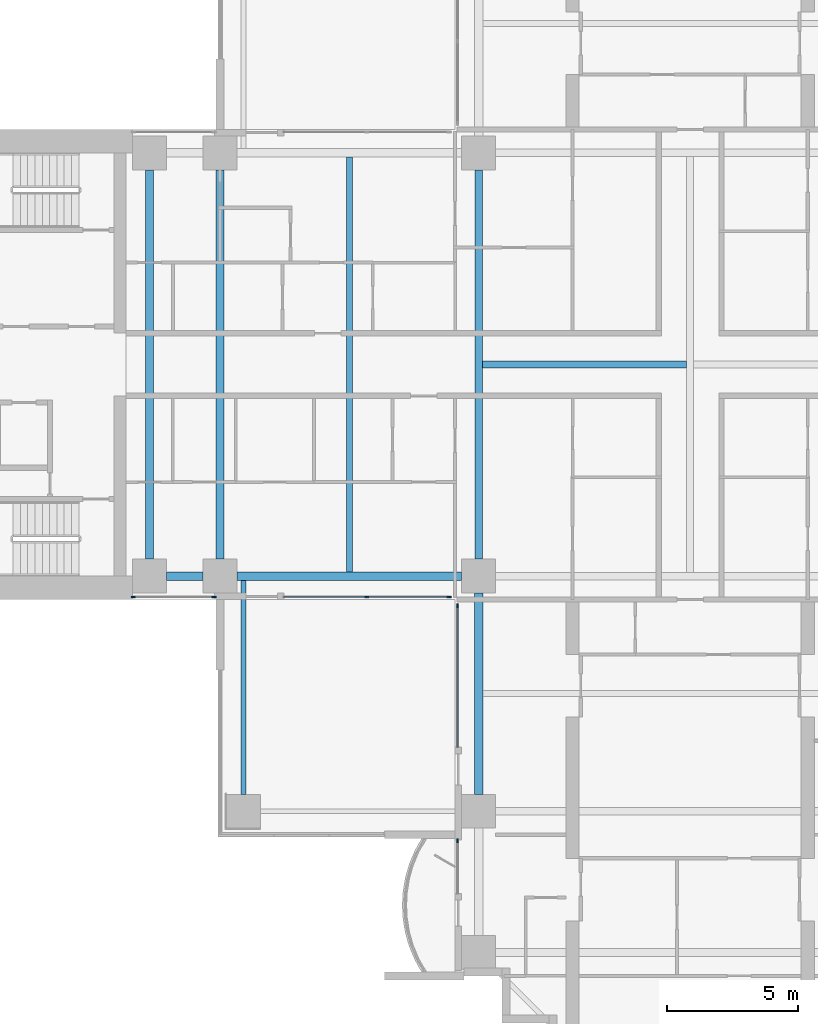
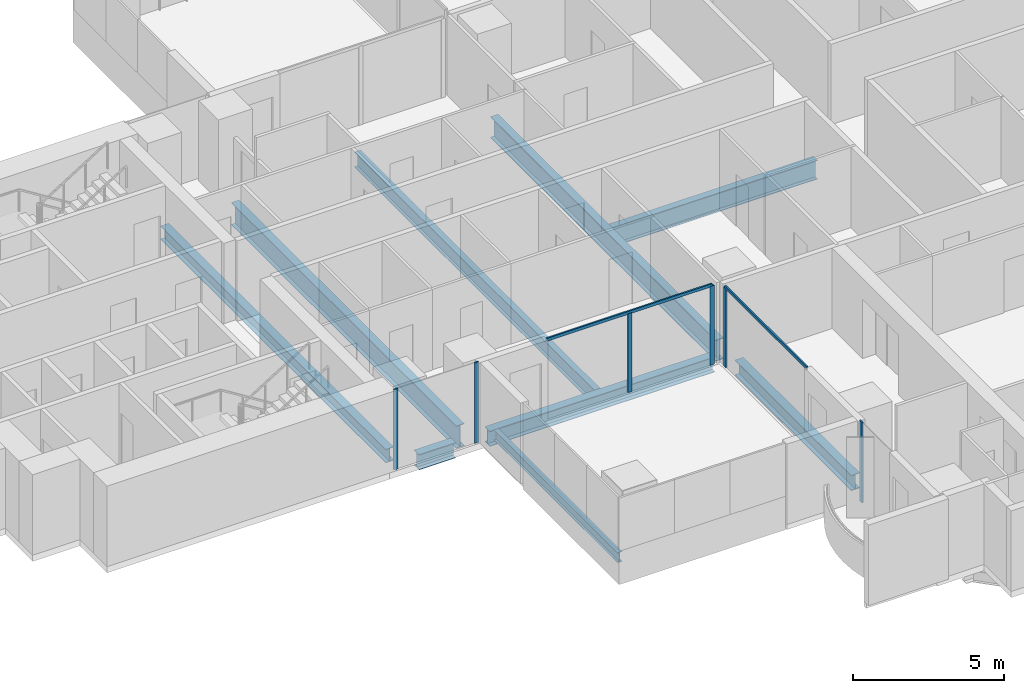
# One storey, part 2 of 21: 9 beams, 8 members, 4 elements without a shape of their own.
"""IFC4 building model written with IfcOpenShell, lengths in metres."""

from ifc_helpers import new_model, si_unit, direction, frame, origin, origin_2d, place, context, subcontext, project, spatial, rectangle, i_section, extrude, material, material_profile, profile_set, type_object, element, aggregate, save


model = new_model("IFC4")

# Units and contexts
model_context = context("Model", 3, precision=1e-05, world=origin(), true_north=direction((0.0, 1.0)))
body_context = subcontext(model_context, "Body", "Model", "MODEL_VIEW")
ifc_project = project(units=[si_unit("LENGTHUNIT", "METRE"), si_unit("AREAUNIT", "SQUARE_METRE"), si_unit("VOLUMEUNIT", "CUBIC_METRE"), si_unit("PLANEANGLEUNIT", "RADIAN"), si_unit("MASSUNIT", "GRAM", prefix="KILO")], contexts=[model_context])

# Site, building, storey
site_placement = place(None, origin())
site = spatial("IfcSite", under=ifc_project, at=site_placement, CompositionType="ELEMENT")
building_placement = place(site_placement, origin())
building = spatial("IfcBuilding", under=site, at=building_placement, Name="Perihelion Cross Residences", CompositionType="ELEMENT")
storey_placement = place(building_placement, frame((0.0, 0.0, 40.0)))
storey = spatial("IfcBuildingStorey", under=building, at=storey_placement, Name="L06", CompositionType="ELEMENT", Elevation=40.0)

# Curtain wall, members
ifc_material_1 = material(Name="Bronze anodised aluminium, tinted glazing", Category="aluminium")
curtain_wall_type = type_object("IfcCurtainWallType", Name="CW1", PredefinedType="NOTDEFINED", material=ifc_material_1)
curtain_wall_1_placement = place(storey_placement, origin())
curtain_wall_1 = element("IfcCurtainWall", 1, at=curtain_wall_1_placement, inside=storey, type_object=curtain_wall_type, Name="Curtain wall CW1 L06 west side south bay 1", PredefinedType="NOTDEFINED")
ifc_material_2 = material(Name="Bronze anodised aluminium", Category="aluminium")
ifc_material_profile_1 = material_profile(ifc_material_2, rectangle(XDim=0.06005859375, YDim=0.159912109375, at=origin_2d()), Name="CW1 mullion")
ifc_profile_set_1 = profile_set([ifc_material_profile_1], Name="Bronze anodised aluminium")
member_type_1 = type_object("IfcMemberType", Name="CW1 mullion", PredefinedType="MULLION", material=ifc_profile_set_1)
member_1_placement = place(storey_placement, frame((-21.320068359375, -8.89990234375, 0.0), z_axis=(0.0, 0.0, 1.0), x_axis=(0.0, 1.0, 0.0)))
member_1 = element("IfcMember", 2, at=member_1_placement, type_object=member_type_1, Name="CW1 mullion 1", PredefinedType="MULLION", context=body_context, shape_type="SweptSolid", body=[
    extrude(rectangle(XDim=0.06005859375, YDim=0.159912109375, at=origin_2d()), origin(), (0.0, 0.0, 1.0), 3.25),
])
member_2_placement = place(storey_placement, frame((-18.22998046875, -8.89990234375, 0.0), z_axis=(0.0, 0.0, 1.0), x_axis=(0.0, 1.0, 0.0)))
member_2 = element("IfcMember", 3, at=member_2_placement, type_object=member_type_1, Name="CW1 mullion 2", PredefinedType="MULLION", context=body_context, shape_type="SweptSolid", body=[
    extrude(rectangle(XDim=0.06005859375, YDim=0.159912109375, at=origin_2d()), origin(), (0.0, 0.0, 1.0), 3.25),
])
aggregate(curtain_wall_1, [member_1, member_2])

curtain_wall_2_placement = place(storey_placement, origin())
curtain_wall_2 = element("IfcCurtainWall", 4, at=curtain_wall_2_placement, inside=storey, type_object=curtain_wall_type, Name="Curtain wall CW1 L06 west side south bay 2", PredefinedType="NOTDEFINED")
member_3_placement = place(storey_placement, frame((-12.375, -8.89990234375, 0.0), z_axis=(0.0, 0.0, 1.0), x_axis=(0.0, 1.0, 0.0)))
member_3 = element("IfcMember", 5, at=member_3_placement, type_object=member_type_1, Name="CW1 mullion 2", PredefinedType="MULLION", context=body_context, shape_type="SweptSolid", body=[
    extrude(rectangle(XDim=0.06005859375, YDim=0.159912109375, at=origin_2d()), origin(), (0.0, 0.0, 1.0), 3.18994140625),
])
member_4_placement = place(storey_placement, frame((-9.22998046875, -8.89990234375, 0.0), z_axis=(0.0, 0.0, 1.0), x_axis=(0.0, 1.0, 0.0)))
member_4 = element("IfcMember", 6, at=member_4_placement, type_object=member_type_1, Name="CW1 mullion 3", PredefinedType="MULLION", context=body_context, shape_type="SweptSolid", body=[
    extrude(rectangle(XDim=0.06005859375, YDim=0.159912109375, at=origin_2d()), origin(), (0.0, 0.0, 1.0), 3.18994140625),
])

# Curtain wall, member
curtain_wall_3_placement = place(storey_placement, origin())
curtain_wall_3 = element("IfcCurtainWall", 7, at=curtain_wall_3_placement, inside=storey, type_object=curtain_wall_type, Name="Curtain wall CW1 L06 south side west bay 1", PredefinedType="NOTDEFINED")
member_5_placement = place(storey_placement, frame((-8.89990234375, -9.22998046875, 0.0), z_axis=(0.0, 0.0, 1.0), x_axis=(1.0, 0.0, 0.0)))
member_5 = element("IfcMember", 8, at=member_5_placement, type_object=member_type_1, Name="CW1 mullion 1", PredefinedType="MULLION", context=body_context, shape_type="SweptSolid", body=[
    extrude(rectangle(XDim=0.06005859375, YDim=0.159912109375, at=origin_2d()), origin(), (0.0, 0.0, 1.0), 3.18994140625),
])

curtain_wall_4_placement = place(storey_placement, origin())
curtain_wall_4 = element("IfcCurtainWall", 9, at=curtain_wall_4_placement, inside=storey, type_object=curtain_wall_type, Name="Curtain wall CW1 L06 south side west bay 2", PredefinedType="NOTDEFINED")
member_6_placement = place(storey_placement, frame((-8.89990234375, -18.22998046875, 0.0), z_axis=(0.0, 0.0, 1.0), x_axis=(1.0, 0.0, 0.0)))
member_6 = element("IfcMember", 10, at=member_6_placement, type_object=member_type_1, Name="CW1 mullion 1", PredefinedType="MULLION", context=body_context, shape_type="SweptSolid", body=[
    extrude(rectangle(XDim=0.06005859375, YDim=0.159912109375, at=origin_2d()), origin(), (0.0, 0.0, 1.0), 3.25),
])
aggregate(curtain_wall_4, [member_6])

# Member
ifc_material_3 = material(Name="Bronze anodised aluminium", Category="aluminium")
ifc_material_profile_2 = material_profile(ifc_material_3, rectangle(XDim=0.06005859375, YDim=0.1201171875, at=origin_2d()), Name="CW1 transom")
ifc_profile_set_2 = profile_set([ifc_material_profile_2], Name="Bronze anodised aluminium")
member_type_2 = type_object("IfcMemberType", Name="CW1 transom", PredefinedType="USERDEFINED", material=ifc_profile_set_2)
member_7_placement = place(storey_placement, frame((-15.550048828125, -8.89990234375, 3.219970703125), z_axis=(1.0, 0.0, 0.0), x_axis=(0.0, 1.0, 0.0)))
member_7 = element("IfcMember", 11, at=member_7_placement, type_object=member_type_2, Name="CW1 head transom", ObjectType="TRANSOM", PredefinedType="USERDEFINED", context=body_context, shape_type="SweptSolid", body=[
    extrude(rectangle(XDim=0.06005859375, YDim=0.1201171875, at=origin_2d()), origin(), (0.0, 0.0, 1.0), 6.320068359375),
])

aggregate(curtain_wall_2, [member_3, member_4, member_7])

member_8_placement = place(storey_placement, frame((-8.89990234375, -9.22998046875, 3.219970703125), z_axis=(0.0, -1.0, 0.0), x_axis=(1.0, 0.0, 0.0)))
member_8 = element("IfcMember", 12, at=member_8_placement, type_object=member_type_2, Name="CW1 head transom", ObjectType="TRANSOM", PredefinedType="USERDEFINED", context=body_context, shape_type="SweptSolid", body=[
    extrude(rectangle(XDim=0.06005859375, YDim=0.1201171875, at=origin_2d()), origin(), (0.0, 0.0, 1.0), 5.419921875),
])

aggregate(curtain_wall_3, [member_5, member_8])

# Beams
ifc_material_4 = material(Name="Steel S355", Category="steel")
ifc_material_profile_3 = material_profile(ifc_material_4, i_section(OverallWidth=0.177978515625, OverallDepth=0.406005859375, WebThickness=0.0078125, FlangeThickness=0.0126953125, at=origin_2d()), Name="W410x60")
ifc_profile_set_3 = profile_set([ifc_material_profile_3], Name="Steel S355")
beam_type_1 = type_object("IfcBeamType", Name="Core edge beam W410x60", PredefinedType="BEAM", material=ifc_profile_set_3)
beam_1_placement = place(storey_placement, frame((-17.10009765625, -8.262451171875, -0.452880859375), z_axis=(0.0, -1.0, 0.0), x_axis=(1.0, 0.0, 0.0)))
element("IfcBeam", 13, at=beam_1_placement, inside=storey, type_object=beam_type_1, Name="Core edge beam TB2 L06 corner no. 1", PredefinedType="BEAM", context=body_context, shape_type="SweptSolid", body=[
    extrude(i_section(OverallWidth=0.177978515625, OverallDepth=0.406005859375, WebThickness=0.0078125, FlangeThickness=0.0126953125, at=origin_2d()), origin(), (0.0, 0.0, 1.0), 8.1875),
])
ifc_material_5 = material(Name="Steel S355", Category="steel")
ifc_material_profile_4 = material_profile(ifc_material_5, i_section(OverallWidth=0.31201171875, OverallDepth=0.5439453125, WebThickness=0.0126953125, FlangeThickness=0.020263671875, at=origin_2d()), Name="W530x150")
ifc_profile_set_4 = profile_set([ifc_material_profile_4], Name="Steel S355")
beam_type_2 = type_object("IfcBeamType", Name="Core edge beam W530x150", PredefinedType="BEAM", material=ifc_profile_set_4)
beam_2_placement = place(storey_placement, frame((-20.699951171875, -7.449951171875, -0.52197265625), z_axis=(0.0, 1.0, 0.0), x_axis=(-1.0, 0.0, 0.0)))
element("IfcBeam", 14, at=beam_2_placement, inside=storey, type_object=beam_type_2, Name="Core edge beam TB4 L06 no. 1", PredefinedType="BEAM", context=body_context, shape_type="SweptSolid", body=[
    extrude(i_section(OverallWidth=0.31201171875, OverallDepth=0.5439453125, WebThickness=0.0126953125, FlangeThickness=0.020263671875, at=origin_2d()), origin(), (0.0, 0.0, 1.0), 14.89990234375),
])
ifc_material_6 = material(Name="Steel S355", Category="steel")
ifc_material_profile_5 = material_profile(ifc_material_6, i_section(OverallWidth=0.324951171875, OverallDepth=0.616943359375, WebThickness=0.013916015625, FlangeThickness=0.021484375, at=origin_2d()), Name="W610x174")
ifc_profile_set_5 = profile_set([ifc_material_profile_5], Name="Steel S355")
beam_type_3 = type_object("IfcBeamType", Name="Edge beam W610x174", PredefinedType="SPANDREL", material=ifc_profile_set_5)
beam_3_placement = place(storey_placement, frame((-20.050048828125, -8.10009765625, -0.55859375), z_axis=(1.0, 0.0, 0.0), x_axis=(0.0, 1.0, 0.0)))
element("IfcBeam", 15, at=beam_3_placement, inside=storey, type_object=beam_type_3, Name="Edge beam SB2 L06 no. 3", PredefinedType="SPANDREL", context=body_context, shape_type="SweptSolid", body=[
    extrude(i_section(OverallWidth=0.324951171875, OverallDepth=0.616943359375, WebThickness=0.013916015625, FlangeThickness=0.021484375, at=origin_2d()), origin(), (0.0, 0.0, 1.0), 1.400146484375),
])
beam_4_placement = place(storey_placement, frame((-17.35009765625, -8.10009765625, -0.55859375), z_axis=(1.0, 0.0, 0.0), x_axis=(0.0, 1.0, 0.0)))
element("IfcBeam", 16, at=beam_4_placement, inside=storey, type_object=beam_type_3, Name="Edge beam SB2 L06 no. 1", PredefinedType="SPANDREL", context=body_context, shape_type="SweptSolid", body=[
    extrude(i_section(OverallWidth=0.324951171875, OverallDepth=0.616943359375, WebThickness=0.013916015625, FlangeThickness=0.021484375, at=origin_2d()), origin(), (0.0, 0.0, 1.0), 8.60009765625),
])
beam_5_placement = place(storey_placement, frame((-8.10009765625, -8.75, -0.55859375), z_axis=(0.0, -1.0, 0.0), x_axis=(1.0, 0.0, 0.0)))
element("IfcBeam", 17, at=beam_5_placement, inside=storey, type_object=beam_type_3, Name="Edge beam SB2 L06 no. 6", PredefinedType="SPANDREL", context=body_context, shape_type="SweptSolid", body=[
    extrude(i_section(OverallWidth=0.324951171875, OverallDepth=0.616943359375, WebThickness=0.013916015625, FlangeThickness=0.021484375, at=origin_2d()), origin(), (0.0, 0.0, 1.0), 7.699951171875),
])
ifc_material_7 = material(Name="Steel S355", Category="steel")
ifc_material_profile_6 = material_profile(ifc_material_7, i_section(OverallWidth=0.304931640625, OverallDepth=0.904052734375, WebThickness=0.01513671875, FlangeThickness=0.02001953125, at=origin_2d()), Name="W920x201")
ifc_profile_set_6 = profile_set([ifc_material_profile_6], Name="Steel S355")
beam_type_4 = type_object("IfcBeamType", Name="Floor girder W920x201", PredefinedType="BEAM", material=ifc_profile_set_6)
beam_6_placement = place(storey_placement, frame((-18.0, -7.449951171875, -0.701904296875), z_axis=(0.0, 1.0, 0.0), x_axis=(-1.0, 0.0, 0.0)))
element("IfcBeam", 18, at=beam_6_placement, inside=storey, type_object=beam_type_4, Name="Girder G2 L06 no. 1", PredefinedType="BEAM", context=body_context, shape_type="SweptSolid", body=[
    extrude(i_section(OverallWidth=0.304931640625, OverallDepth=0.904052734375, WebThickness=0.01513671875, FlangeThickness=0.02001953125, at=origin_2d()), origin(), (0.0, 0.0, 1.0), 14.89990234375),
])
ifc_material_8 = material(Name="Steel S355", Category="steel")
ifc_material_profile_7 = material_profile(ifc_material_8, i_section(OverallWidth=0.22900390625, OverallDepth=0.612060546875, WebThickness=0.011962890625, FlangeThickness=0.01953125, at=origin_2d()), Name="W610x125")
ifc_profile_set_7 = profile_set([ifc_material_profile_7], Name="Steel S355")
beam_type_5 = type_object("IfcBeamType", Name="Floor joist W610x125", PredefinedType="JOIST", material=ifc_profile_set_7)
beam_7_placement = place(storey_placement, frame((-13.050048828125, -7.9375, -0.555908203125), z_axis=(0.0, 1.0, 0.0), x_axis=(-1.0, 0.0, 0.0)))
element("IfcBeam", 19, at=beam_7_placement, inside=storey, type_object=beam_type_5, Name="Joist J3 L06 no. 1", PredefinedType="JOIST", context=body_context, shape_type="SweptSolid", body=[
    extrude(i_section(OverallWidth=0.22900390625, OverallDepth=0.612060546875, WebThickness=0.011962890625, FlangeThickness=0.01953125, at=origin_2d()), origin(), (0.0, 0.0, 1.0), 15.875),
])
ifc_material_9 = material(Name="Steel S355", Category="steel")
ifc_material_profile_8 = material_profile(ifc_material_9, i_section(OverallWidth=0.26708984375, OverallDepth=0.77001953125, WebThickness=0.015625, FlangeThickness=0.025390625, at=origin_2d()), Name="W760x196")
ifc_profile_set_8 = profile_set([ifc_material_profile_8], Name="Steel S355")
beam_type_6 = type_object("IfcBeamType", Name="Hub cross beam W760x196", PredefinedType="BEAM", material=ifc_profile_set_8)
beam_8_placement = place(storey_placement, frame((-7.9541015625, 0.0, -0.635009765625), z_axis=(1.0, 0.0, 0.0), x_axis=(0.0, 1.0, 0.0)))
element("IfcBeam", 20, at=beam_8_placement, inside=storey, type_object=beam_type_6, Name="Hub cross beam XB2 L06 1 no. 1", PredefinedType="BEAM", context=body_context, shape_type="SweptSolid", body=[
    extrude(i_section(OverallWidth=0.26708984375, OverallDepth=0.77001953125, WebThickness=0.015625, FlangeThickness=0.025390625, at=origin_2d()), origin(), (0.0, 0.0, 1.0), 7.820556640625),
])
ifc_material_10 = material(Name="Steel S355", Category="steel")
ifc_material_profile_9 = material_profile(ifc_material_10, i_section(OverallWidth=0.2919921875, OverallDepth=0.85888671875, WebThickness=0.01708984375, FlangeThickness=0.031005859375, at=origin_2d()), Name="W840x251")
ifc_profile_set_9 = profile_set([ifc_material_profile_9], Name="Steel S355")
beam_type_7 = type_object("IfcBeamType", Name="Hub ring girder W840x251", PredefinedType="BEAM", material=ifc_profile_set_9)
beam_9_placement = place(storey_placement, frame((-8.10009765625, 7.449951171875, -0.679443359375), z_axis=(0.0, -1.0, 0.0), x_axis=(1.0, 0.0, 0.0)))
element("IfcBeam", 21, at=beam_9_placement, inside=storey, type_object=beam_type_7, Name="Hub ring girder RG2 L06 no. 2", PredefinedType="BEAM", context=body_context, shape_type="SweptSolid", body=[
    extrude(i_section(OverallWidth=0.2919921875, OverallDepth=0.85888671875, WebThickness=0.01708984375, FlangeThickness=0.031005859375, at=origin_2d()), origin(), (0.0, 0.0, 1.0), 14.89990234375),
])

save(model, "model.ifc")
